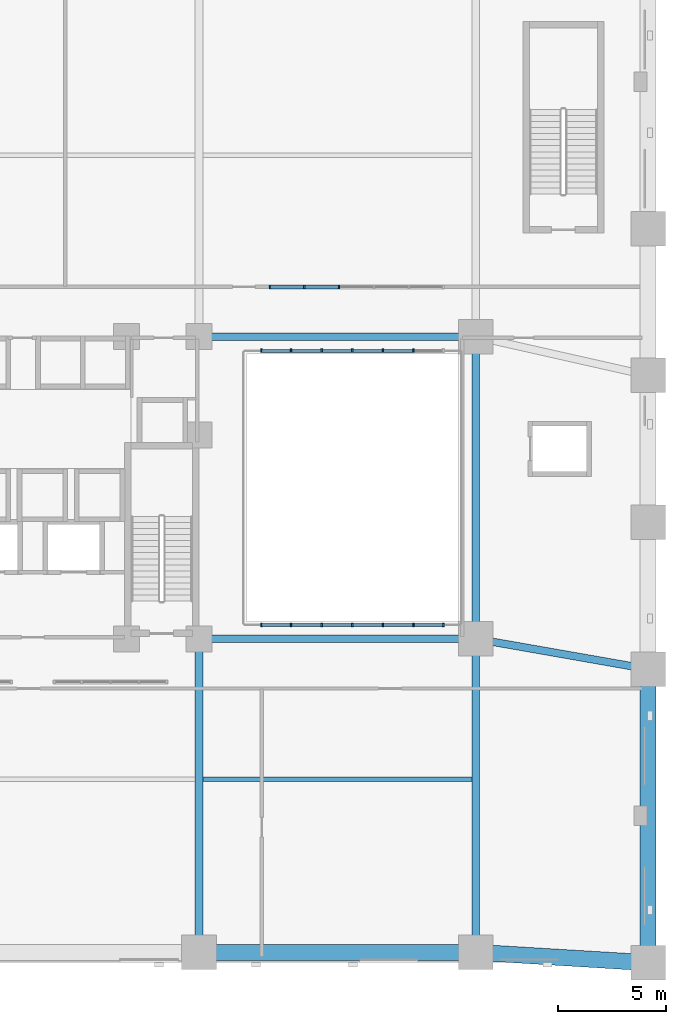
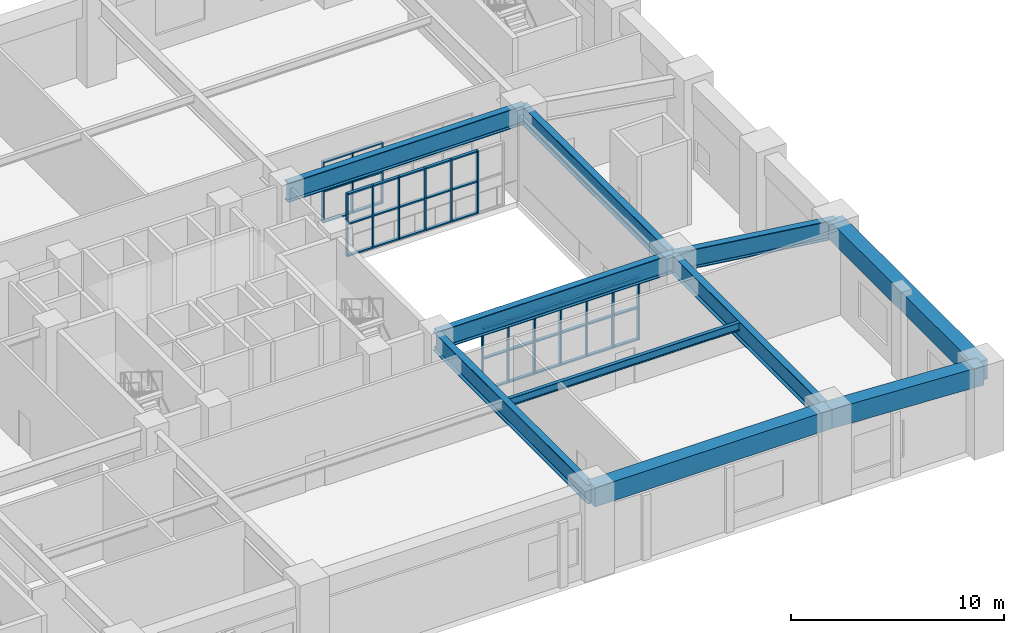
# One storey, part 4 of 14: 55 members, 10 beams, 3 elements without a shape of their own.
"""IFC4 building model written with IfcOpenShell, lengths in metres."""

from ifc_helpers import new_model, si_unit, derived_unit, direction, frame, origin, origin_2d, place, context, subcontext, project, spatial, rectangle, i_section, extrude, material, material_profile, profile_set, type_object, element, aggregate, save


model = new_model("IFC4")

# Units and contexts
model_context = context("Model", 3, precision=1e-05, world=origin(), true_north=direction((0.0, 1.0)))
body_context = subcontext(model_context, "Body", "Model", "MODEL_VIEW")
ifc_project = project(units=[si_unit("LENGTHUNIT", "METRE"), si_unit("AREAUNIT", "SQUARE_METRE"), si_unit("VOLUMEUNIT", "CUBIC_METRE"), si_unit("PLANEANGLEUNIT", "RADIAN"), si_unit("MASSUNIT", "GRAM", prefix="KILO"), derived_unit("THERMALTRANSMITTANCEUNIT", [(si_unit("MASSUNIT", "GRAM", prefix="KILO"), 1), (si_unit("TIMEUNIT", "SECOND"), -3), (si_unit("THERMODYNAMICTEMPERATUREUNIT", "KELVIN"), -1)])], contexts=[model_context])

# Site, building, storey
site_placement = place(None, origin())
site = spatial("IfcSite", under=ifc_project, at=site_placement, CompositionType="ELEMENT")
building_placement = place(site_placement, origin())
building = spatial("IfcBuilding", under=site, at=building_placement, Name="Korrvale Station Residences", CompositionType="ELEMENT")
storey_placement = place(building_placement, frame((0.0, 0.0, 6.0)))
storey = spatial("IfcBuildingStorey", under=building, at=storey_placement, Name="L01", CompositionType="ELEMENT", Elevation=6.0)

# Beams
ifc_material_1 = material(Name="Steel S355", Category="steel")
ifc_material_profile_1 = material_profile(ifc_material_1, i_section(OverallWidth=0.35009765625, OverallDepth=1.10009765625, WebThickness=0.01611328125, FlangeThickness=0.034912109375, FilletRadius=0.01806640625, at=origin_2d()), Name="WWF1100x351")
ifc_profile_set_1 = profile_set([ifc_material_profile_1], Name="Steel S355")
beam_type_1 = type_object("IfcBeamType", Name="BM-BM-WWF1100x351-S355", PredefinedType="BEAM", material=ifc_profile_set_1)
beam_1_placement = place(storey_placement, frame((46.02001953125, 0.47998046875, 4.330078125), z_axis=(0.0, 1.0, 0.0), x_axis=(-1.0, 0.0, 0.0)))
element("IfcBeam", 1, at=beam_1_placement, inside=storey, type_object=beam_type_1, Name="L01 Station Primary Girder 04", PredefinedType="BEAM", context=body_context, shape_type="SweptSolid", body=[
    extrude(i_section(OverallWidth=0.35009765625, OverallDepth=1.10009765625, WebThickness=0.01611328125, FlangeThickness=0.034912109375, FilletRadius=0.01806640625, at=origin_2d()), origin(), (0.0, 0.0, 1.0), 14.52001953125),
])
beam_2_placement = place(storey_placement, frame((46.02001953125, 15.0, 4.330078125), z_axis=(0.0, 1.0, 0.0), x_axis=(-1.0, 0.0, 0.0)))
element("IfcBeam", 2, at=beam_2_placement, inside=storey, type_object=beam_type_1, Name="L01 Station Primary Girder 05", PredefinedType="BEAM", context=body_context, shape_type="SweptSolid", body=[
    extrude(i_section(OverallWidth=0.35009765625, OverallDepth=1.10009765625, WebThickness=0.01611328125, FlangeThickness=0.034912109375, FilletRadius=0.01806640625, at=origin_2d()), origin(), (0.0, 0.0, 1.0), 14.0),
])
beam_3_placement = place(storey_placement, frame((46.02001953125, 15.0, 4.330078125), z_axis=(0.98495900412, -0.172788194628, 0.0), x_axis=(0.172788194628, 0.98495900412, 0.0)))
element("IfcBeam", 3, at=beam_3_placement, inside=storey, type_object=beam_type_1, Name="L01 Station Primary Girder 13", PredefinedType="BEAM", context=body_context, shape_type="SweptSolid", body=[
    extrude(i_section(OverallWidth=0.35009765625, OverallDepth=1.10009765625, WebThickness=0.01611328125, FlangeThickness=0.034912109375, FilletRadius=0.01806640625, at=origin_2d()), origin(), (0.0, 0.0, 1.0), 8.101806640625),
])
for number, where, z_axis, x_axis, name in (
    (4, (33.199951171875, 15.0, 4.330078125), (1.0, 0.0, 0.0), (0.0, 1.0, 0.0), "L01 Station Primary Girder 15"),
    (5, (33.199951171875, 29.0, 4.330078125), (1.0, 0.0, 0.0), (0.0, 1.0, 0.0), "L01 Station Primary Girder 16"),
):
    element("IfcBeam", number, at=place(storey_placement, frame(where, z_axis=z_axis, x_axis=x_axis)), inside=storey, type_object=beam_type_1, Name=name, PredefinedType="BEAM", context=body_context, shape_type="SweptSolid", body=[
        extrude(i_section(OverallWidth=0.35009765625, OverallDepth=1.10009765625, WebThickness=0.01611328125, FlangeThickness=0.034912109375, FilletRadius=0.01806640625, at=origin_2d()), origin(), (0.0, 0.0, 1.0), 12.820068359375),
    ])
beam_4_placement = place(storey_placement, frame((33.199951171875, 0.47998046875, 4.330078125), z_axis=(0.0, 1.0, 0.0), x_axis=(-1.0, 0.0, 0.0)))
element("IfcBeam", 6, at=beam_4_placement, inside=storey, type_object=beam_type_1, Name="L01 Station Primary Girder 18", PredefinedType="BEAM", context=body_context, shape_type="SweptSolid", body=[
    extrude(i_section(OverallWidth=0.35009765625, OverallDepth=1.10009765625, WebThickness=0.01611328125, FlangeThickness=0.034912109375, FilletRadius=0.01806640625, at=origin_2d()), origin(), (0.0, 0.0, 1.0), 14.52001953125),
])
ifc_material_profile_2 = material_profile(ifc_material_1, i_section(OverallWidth=0.18994140625, OverallDepth=0.45703125, WebThickness=0.009033203125, FlangeThickness=0.014404296875, FilletRadius=0.01611328125, at=origin_2d()), Name="W460x74")
ifc_profile_set_2 = profile_set([ifc_material_profile_2], Name="Steel S355")
beam_type_2 = type_object("IfcBeamType", Name="BM-JST-W460x74-S355", PredefinedType="JOIST", material=ifc_profile_set_2)
beam_5_placement = place(storey_placement, frame((33.375, 8.5, 4.651611328125), z_axis=(1.0, 0.0, 0.0), x_axis=(0.0, 1.0, 0.0)))
element("IfcBeam", 7, at=beam_5_placement, inside=storey, type_object=beam_type_2, Name="L01 Station Floor Joist 07", PredefinedType="JOIST", context=body_context, shape_type="SweptSolid", body=[
    extrude(i_section(OverallWidth=0.18994140625, OverallDepth=0.45703125, WebThickness=0.009033203125, FlangeThickness=0.014404296875, FilletRadius=0.01611328125, at=origin_2d()), origin(), (0.0, 0.0, 1.0), 12.469970703125),
])
ifc_material_2 = material(Name="Concrete C70/85", Category="concrete")
ifc_material_profile_3 = material_profile(ifc_material_2, rectangle(XDim=0.75, YDim=1.10009765625, at=origin_2d()), Name="RCB750x1100")
ifc_profile_set_3 = profile_set([ifc_material_profile_3], Name="Concrete C70/85")
beam_type_3 = type_object("IfcBeamType", Name="BM-SPB-RCB750x1100-C7085", PredefinedType="SPANDREL", material=ifc_profile_set_3)
beam_6_placement = place(storey_placement, frame((54.0, 0.0, 4.330078125), z_axis=(0.0, 1.0, 0.0), x_axis=(-1.0, 0.0, 0.0)))
element("IfcBeam", 8, at=beam_6_placement, inside=storey, type_object=beam_type_3, Name="L01 Station Spandrel Beam 06", PredefinedType="SPANDREL", context=body_context, shape_type="SweptSolid", body=[
    extrude(rectangle(XDim=0.75, YDim=1.10009765625, at=origin_2d()), origin(), (0.0, 0.0, 1.0), 13.60009765625),
])
beam_7_placement = place(storey_placement, frame((33.199951171875, 0.47998046875, 4.330078125), z_axis=(1.0, 0.0, 0.0), x_axis=(0.0, 1.0, 0.0)))
element("IfcBeam", 9, at=beam_7_placement, inside=storey, type_object=beam_type_3, Name="L01 Station Spandrel Beam 14", PredefinedType="SPANDREL", context=body_context, shape_type="SweptSolid", body=[
    extrude(rectangle(XDim=0.75, YDim=1.10009765625, at=origin_2d()), origin(), (0.0, 0.0, 1.0), 12.820068359375),
])
beam_8_placement = place(storey_placement, frame((46.02001953125, 0.47998046875, 4.330078125), z_axis=(0.998195997903, -0.060039568374, 0.0), x_axis=(0.060039568374, 0.998195997903, 0.0)))
element("IfcBeam", 10, at=beam_8_placement, inside=storey, type_object=beam_type_3, Name="L01 Station Spandrel Beam 15", PredefinedType="SPANDREL", context=body_context, shape_type="SweptSolid", body=[
    extrude(rectangle(XDim=0.75, YDim=1.10009765625, at=origin_2d()), origin(), (0.0, 0.0, 1.0), 7.994384765625),
])

# Curtain wall, members
ifc_material_3 = material(Name="Unitised thermally broken aluminium curtain wall with triple low-e IGU", Category="aluminium")
curtain_wall_type_1 = type_object("IfcCurtainWallType", Name="CW-ATR-POD", PredefinedType="NOTDEFINED", material=ifc_material_3)
curtain_wall_1_placement = place(storey_placement, origin())
curtain_wall_1 = element("IfcCurtainWall", 11, at=curtain_wall_1_placement, inside=storey, type_object=curtain_wall_type_1, Name="L01 Curtain Wall CW3-RUN-1", PredefinedType="NOTDEFINED")
ifc_material_4 = material(Name="Extruded thermally broken aluminium mullion", Category="aluminium")
member_type_1 = type_object("IfcMemberType", Name="CW-ATR-POD-M", PredefinedType="MULLION", material=ifc_material_4)
member_1_placement = place(storey_placement, frame((36.090087890625, 15.64990234375, 0.0), z_axis=(0.0, 0.0, 1.0), x_axis=(1.0, 0.0, 0.0)))
member_1 = element("IfcMember", 12, at=member_1_placement, type_object=member_type_1, Name="CW-ATR-POD Mullion 1", PredefinedType="MULLION", context=body_context, shape_type="SweptSolid", body=[
    extrude(rectangle(XDim=0.080078125, YDim=0.1650390625, at=origin_2d()), origin(), (0.0, 0.0, 1.0), 3.60009765625),
])
member_2_placement = place(storey_placement, frame((37.466796875, 15.64990234375, 0.0), z_axis=(0.0, 0.0, 1.0), x_axis=(1.0, 0.0, 0.0)))
member_2 = element("IfcMember", 13, at=member_2_placement, type_object=member_type_1, Name="CW-ATR-POD Mullion 2", PredefinedType="MULLION", context=body_context, shape_type="SweptSolid", body=[
    extrude(rectangle(XDim=0.080078125, YDim=0.1650390625, at=origin_2d()), origin(), (0.0, 0.0, 1.0), 3.60009765625),
])
member_3_placement = place(storey_placement, frame((38.88330078125, 15.64990234375, 0.0), z_axis=(0.0, 0.0, 1.0), x_axis=(1.0, 0.0, 0.0)))
member_3 = element("IfcMember", 14, at=member_3_placement, type_object=member_type_1, Name="CW-ATR-POD Mullion 3", PredefinedType="MULLION", context=body_context, shape_type="SweptSolid", body=[
    extrude(rectangle(XDim=0.080078125, YDim=0.1650390625, at=origin_2d()), origin(), (0.0, 0.0, 1.0), 3.60009765625),
])
member_4_placement = place(storey_placement, frame((40.300048828125, 15.64990234375, 0.0), z_axis=(0.0, 0.0, 1.0), x_axis=(1.0, 0.0, 0.0)))
member_4 = element("IfcMember", 15, at=member_4_placement, type_object=member_type_1, Name="CW-ATR-POD Mullion 4", PredefinedType="MULLION", context=body_context, shape_type="SweptSolid", body=[
    extrude(rectangle(XDim=0.080078125, YDim=0.1650390625, at=origin_2d()), origin(), (0.0, 0.0, 1.0), 3.60009765625),
])
member_5_placement = place(storey_placement, frame((41.716796875, 15.64990234375, 0.0), z_axis=(0.0, 0.0, 1.0), x_axis=(1.0, 0.0, 0.0)))
member_5 = element("IfcMember", 16, at=member_5_placement, type_object=member_type_1, Name="CW-ATR-POD Mullion 5", PredefinedType="MULLION", context=body_context, shape_type="SweptSolid", body=[
    extrude(rectangle(XDim=0.080078125, YDim=0.1650390625, at=origin_2d()), origin(), (0.0, 0.0, 1.0), 3.60009765625),
])
member_6_placement = place(storey_placement, frame((43.13330078125, 15.64990234375, 0.0), z_axis=(0.0, 0.0, 1.0), x_axis=(1.0, 0.0, 0.0)))
member_6 = element("IfcMember", 17, at=member_6_placement, type_object=member_type_1, Name="CW-ATR-POD Mullion 6", PredefinedType="MULLION", context=body_context, shape_type="SweptSolid", body=[
    extrude(rectangle(XDim=0.080078125, YDim=0.1650390625, at=origin_2d()), origin(), (0.0, 0.0, 1.0), 3.60009765625),
])
member_7_placement = place(storey_placement, frame((44.510009765625, 15.64990234375, 0.0), z_axis=(0.0, 0.0, 1.0), x_axis=(1.0, 0.0, 0.0)))
member_7 = element("IfcMember", 18, at=member_7_placement, type_object=member_type_1, Name="CW-ATR-POD Mullion 7", PredefinedType="MULLION", context=body_context, shape_type="SweptSolid", body=[
    extrude(rectangle(XDim=0.080078125, YDim=0.1650390625, at=origin_2d()), origin(), (0.0, 0.0, 1.0), 3.60009765625),
])

curtain_wall_2_placement = place(storey_placement, origin())
curtain_wall_2 = element("IfcCurtainWall", 19, at=curtain_wall_2_placement, inside=storey, type_object=curtain_wall_type_1, Name="L01 Curtain Wall CW3-RUN-2", PredefinedType="NOTDEFINED")
member_8_placement = place(storey_placement, frame((36.090087890625, 28.35009765625, 0.0), z_axis=(0.0, 0.0, 1.0), x_axis=(1.0, 0.0, 0.0)))
member_8 = element("IfcMember", 20, at=member_8_placement, type_object=member_type_1, Name="CW-ATR-POD Mullion 1", PredefinedType="MULLION", context=body_context, shape_type="SweptSolid", body=[
    extrude(rectangle(XDim=0.080078125, YDim=0.1650390625, at=origin_2d()), origin(), (0.0, 0.0, 1.0), 3.60009765625),
])
member_9_placement = place(storey_placement, frame((37.466796875, 28.35009765625, 0.0), z_axis=(0.0, 0.0, 1.0), x_axis=(1.0, 0.0, 0.0)))
member_9 = element("IfcMember", 21, at=member_9_placement, type_object=member_type_1, Name="CW-ATR-POD Mullion 2", PredefinedType="MULLION", context=body_context, shape_type="SweptSolid", body=[
    extrude(rectangle(XDim=0.080078125, YDim=0.1650390625, at=origin_2d()), origin(), (0.0, 0.0, 1.0), 3.60009765625),
])
member_10_placement = place(storey_placement, frame((38.88330078125, 28.35009765625, 0.0), z_axis=(0.0, 0.0, 1.0), x_axis=(1.0, 0.0, 0.0)))
member_10 = element("IfcMember", 22, at=member_10_placement, type_object=member_type_1, Name="CW-ATR-POD Mullion 3", PredefinedType="MULLION", context=body_context, shape_type="SweptSolid", body=[
    extrude(rectangle(XDim=0.080078125, YDim=0.1650390625, at=origin_2d()), origin(), (0.0, 0.0, 1.0), 3.60009765625),
])
member_11_placement = place(storey_placement, frame((40.300048828125, 28.35009765625, 0.0), z_axis=(0.0, 0.0, 1.0), x_axis=(1.0, 0.0, 0.0)))
member_11 = element("IfcMember", 23, at=member_11_placement, type_object=member_type_1, Name="CW-ATR-POD Mullion 4", PredefinedType="MULLION", context=body_context, shape_type="SweptSolid", body=[
    extrude(rectangle(XDim=0.080078125, YDim=0.1650390625, at=origin_2d()), origin(), (0.0, 0.0, 1.0), 3.60009765625),
])
member_12_placement = place(storey_placement, frame((41.716796875, 28.35009765625, 0.0), z_axis=(0.0, 0.0, 1.0), x_axis=(1.0, 0.0, 0.0)))
member_12 = element("IfcMember", 24, at=member_12_placement, type_object=member_type_1, Name="CW-ATR-POD Mullion 5", PredefinedType="MULLION", context=body_context, shape_type="SweptSolid", body=[
    extrude(rectangle(XDim=0.080078125, YDim=0.1650390625, at=origin_2d()), origin(), (0.0, 0.0, 1.0), 3.60009765625),
])
member_13_placement = place(storey_placement, frame((43.13330078125, 28.35009765625, 0.0), z_axis=(0.0, 0.0, 1.0), x_axis=(1.0, 0.0, 0.0)))
member_13 = element("IfcMember", 25, at=member_13_placement, type_object=member_type_1, Name="CW-ATR-POD Mullion 6", PredefinedType="MULLION", context=body_context, shape_type="SweptSolid", body=[
    extrude(rectangle(XDim=0.080078125, YDim=0.1650390625, at=origin_2d()), origin(), (0.0, 0.0, 1.0), 3.60009765625),
])

# Member
ifc_material_5 = material(Name="Extruded thermally broken aluminium transom", Category="aluminium")
member_type_2 = type_object("IfcMemberType", Name="CW-ATR-POD-T", PredefinedType="USERDEFINED", material=ifc_material_5)
member_14_placement = place(storey_placement, frame((36.75830078125, 15.64990234375, 0.0), z_axis=(0.0, 0.0, 1.0), x_axis=(1.0, 0.0, 0.0)))
member_14 = element("IfcMember", 26, at=member_14_placement, type_object=member_type_2, Name="CW-ATR-POD Transom 1-1", ObjectType="TRANSOM", PredefinedType="USERDEFINED", context=body_context, shape_type="SweptSolid", body=[
    extrude(rectangle(XDim=1.336669921875, YDim=0.1650390625, at=origin_2d()), origin(), (0.0, 0.0, 1.0), 0.080078125),
])

member_15_placement = place(storey_placement, frame((36.75830078125, 15.64990234375, 1.81005859375), z_axis=(0.0, 0.0, 1.0), x_axis=(1.0, 0.0, 0.0)))
member_15 = element("IfcMember", 27, at=member_15_placement, type_object=member_type_2, Name="CW-ATR-POD Transom 1-2", ObjectType="TRANSOM", PredefinedType="USERDEFINED", context=body_context, shape_type="SweptSolid", body=[
    extrude(rectangle(XDim=1.336669921875, YDim=0.1650390625, at=origin_2d()), origin(), (0.0, 0.0, 1.0), 0.080078125),
])

member_16_placement = place(storey_placement, frame((36.75830078125, 15.64990234375, 3.52001953125), z_axis=(0.0, 0.0, 1.0), x_axis=(1.0, 0.0, 0.0)))
member_16 = element("IfcMember", 28, at=member_16_placement, type_object=member_type_2, Name="CW-ATR-POD Transom 1-3", ObjectType="TRANSOM", PredefinedType="USERDEFINED", context=body_context, shape_type="SweptSolid", body=[
    extrude(rectangle(XDim=1.336669921875, YDim=0.1650390625, at=origin_2d()), origin(), (0.0, 0.0, 1.0), 0.080078125),
])

member_17_placement = place(storey_placement, frame((38.175048828125, 15.64990234375, 0.0), z_axis=(0.0, 0.0, 1.0), x_axis=(1.0, 0.0, 0.0)))
member_17 = element("IfcMember", 29, at=member_17_placement, type_object=member_type_2, Name="CW-ATR-POD Transom 2-1", ObjectType="TRANSOM", PredefinedType="USERDEFINED", context=body_context, shape_type="SweptSolid", body=[
    extrude(rectangle(XDim=1.336669921875, YDim=0.1650390625, at=origin_2d()), origin(), (0.0, 0.0, 1.0), 0.080078125),
])

member_18_placement = place(storey_placement, frame((38.175048828125, 15.64990234375, 1.81005859375), z_axis=(0.0, 0.0, 1.0), x_axis=(1.0, 0.0, 0.0)))
member_18 = element("IfcMember", 30, at=member_18_placement, type_object=member_type_2, Name="CW-ATR-POD Transom 2-2", ObjectType="TRANSOM", PredefinedType="USERDEFINED", context=body_context, shape_type="SweptSolid", body=[
    extrude(rectangle(XDim=1.336669921875, YDim=0.1650390625, at=origin_2d()), origin(), (0.0, 0.0, 1.0), 0.080078125),
])

member_19_placement = place(storey_placement, frame((38.175048828125, 15.64990234375, 3.52001953125), z_axis=(0.0, 0.0, 1.0), x_axis=(1.0, 0.0, 0.0)))
member_19 = element("IfcMember", 31, at=member_19_placement, type_object=member_type_2, Name="CW-ATR-POD Transom 2-3", ObjectType="TRANSOM", PredefinedType="USERDEFINED", context=body_context, shape_type="SweptSolid", body=[
    extrude(rectangle(XDim=1.336669921875, YDim=0.1650390625, at=origin_2d()), origin(), (0.0, 0.0, 1.0), 0.080078125),
])

member_20_placement = place(storey_placement, frame((39.591796875, 15.64990234375, 0.0), z_axis=(0.0, 0.0, 1.0), x_axis=(1.0, 0.0, 0.0)))
member_20 = element("IfcMember", 32, at=member_20_placement, type_object=member_type_2, Name="CW-ATR-POD Transom 3-1", ObjectType="TRANSOM", PredefinedType="USERDEFINED", context=body_context, shape_type="SweptSolid", body=[
    extrude(rectangle(XDim=1.336669921875, YDim=0.1650390625, at=origin_2d()), origin(), (0.0, 0.0, 1.0), 0.080078125),
])

member_21_placement = place(storey_placement, frame((39.591796875, 15.64990234375, 1.81005859375), z_axis=(0.0, 0.0, 1.0), x_axis=(1.0, 0.0, 0.0)))
member_21 = element("IfcMember", 33, at=member_21_placement, type_object=member_type_2, Name="CW-ATR-POD Transom 3-2", ObjectType="TRANSOM", PredefinedType="USERDEFINED", context=body_context, shape_type="SweptSolid", body=[
    extrude(rectangle(XDim=1.336669921875, YDim=0.1650390625, at=origin_2d()), origin(), (0.0, 0.0, 1.0), 0.080078125),
])

member_22_placement = place(storey_placement, frame((39.591796875, 15.64990234375, 3.52001953125), z_axis=(0.0, 0.0, 1.0), x_axis=(1.0, 0.0, 0.0)))
member_22 = element("IfcMember", 34, at=member_22_placement, type_object=member_type_2, Name="CW-ATR-POD Transom 3-3", ObjectType="TRANSOM", PredefinedType="USERDEFINED", context=body_context, shape_type="SweptSolid", body=[
    extrude(rectangle(XDim=1.336669921875, YDim=0.1650390625, at=origin_2d()), origin(), (0.0, 0.0, 1.0), 0.080078125),
])

member_23_placement = place(storey_placement, frame((41.00830078125, 15.64990234375, 0.0), z_axis=(0.0, 0.0, 1.0), x_axis=(1.0, 0.0, 0.0)))
member_23 = element("IfcMember", 35, at=member_23_placement, type_object=member_type_2, Name="CW-ATR-POD Transom 4-1", ObjectType="TRANSOM", PredefinedType="USERDEFINED", context=body_context, shape_type="SweptSolid", body=[
    extrude(rectangle(XDim=1.336669921875, YDim=0.1650390625, at=origin_2d()), origin(), (0.0, 0.0, 1.0), 0.080078125),
])

member_24_placement = place(storey_placement, frame((41.00830078125, 15.64990234375, 1.81005859375), z_axis=(0.0, 0.0, 1.0), x_axis=(1.0, 0.0, 0.0)))
member_24 = element("IfcMember", 36, at=member_24_placement, type_object=member_type_2, Name="CW-ATR-POD Transom 4-2", ObjectType="TRANSOM", PredefinedType="USERDEFINED", context=body_context, shape_type="SweptSolid", body=[
    extrude(rectangle(XDim=1.336669921875, YDim=0.1650390625, at=origin_2d()), origin(), (0.0, 0.0, 1.0), 0.080078125),
])

member_25_placement = place(storey_placement, frame((41.00830078125, 15.64990234375, 3.52001953125), z_axis=(0.0, 0.0, 1.0), x_axis=(1.0, 0.0, 0.0)))
member_25 = element("IfcMember", 37, at=member_25_placement, type_object=member_type_2, Name="CW-ATR-POD Transom 4-3", ObjectType="TRANSOM", PredefinedType="USERDEFINED", context=body_context, shape_type="SweptSolid", body=[
    extrude(rectangle(XDim=1.336669921875, YDim=0.1650390625, at=origin_2d()), origin(), (0.0, 0.0, 1.0), 0.080078125),
])

member_26_placement = place(storey_placement, frame((42.425048828125, 15.64990234375, 0.0), z_axis=(0.0, 0.0, 1.0), x_axis=(1.0, 0.0, 0.0)))
member_26 = element("IfcMember", 38, at=member_26_placement, type_object=member_type_2, Name="CW-ATR-POD Transom 5-1", ObjectType="TRANSOM", PredefinedType="USERDEFINED", context=body_context, shape_type="SweptSolid", body=[
    extrude(rectangle(XDim=1.336669921875, YDim=0.1650390625, at=origin_2d()), origin(), (0.0, 0.0, 1.0), 0.080078125),
])

member_27_placement = place(storey_placement, frame((42.425048828125, 15.64990234375, 1.81005859375), z_axis=(0.0, 0.0, 1.0), x_axis=(1.0, 0.0, 0.0)))
member_27 = element("IfcMember", 39, at=member_27_placement, type_object=member_type_2, Name="CW-ATR-POD Transom 5-2", ObjectType="TRANSOM", PredefinedType="USERDEFINED", context=body_context, shape_type="SweptSolid", body=[
    extrude(rectangle(XDim=1.336669921875, YDim=0.1650390625, at=origin_2d()), origin(), (0.0, 0.0, 1.0), 0.080078125),
])

member_28_placement = place(storey_placement, frame((42.425048828125, 15.64990234375, 3.52001953125), z_axis=(0.0, 0.0, 1.0), x_axis=(1.0, 0.0, 0.0)))
member_28 = element("IfcMember", 40, at=member_28_placement, type_object=member_type_2, Name="CW-ATR-POD Transom 5-3", ObjectType="TRANSOM", PredefinedType="USERDEFINED", context=body_context, shape_type="SweptSolid", body=[
    extrude(rectangle(XDim=1.336669921875, YDim=0.1650390625, at=origin_2d()), origin(), (0.0, 0.0, 1.0), 0.080078125),
])

member_29_placement = place(storey_placement, frame((43.841796875, 15.64990234375, 0.0), z_axis=(0.0, 0.0, 1.0), x_axis=(1.0, 0.0, 0.0)))
member_29 = element("IfcMember", 41, at=member_29_placement, type_object=member_type_2, Name="CW-ATR-POD Transom 6-1", ObjectType="TRANSOM", PredefinedType="USERDEFINED", context=body_context, shape_type="SweptSolid", body=[
    extrude(rectangle(XDim=1.336669921875, YDim=0.1650390625, at=origin_2d()), origin(), (0.0, 0.0, 1.0), 0.080078125),
])

member_30_placement = place(storey_placement, frame((43.841796875, 15.64990234375, 1.81005859375), z_axis=(0.0, 0.0, 1.0), x_axis=(1.0, 0.0, 0.0)))
member_30 = element("IfcMember", 42, at=member_30_placement, type_object=member_type_2, Name="CW-ATR-POD Transom 6-2", ObjectType="TRANSOM", PredefinedType="USERDEFINED", context=body_context, shape_type="SweptSolid", body=[
    extrude(rectangle(XDim=1.336669921875, YDim=0.1650390625, at=origin_2d()), origin(), (0.0, 0.0, 1.0), 0.080078125),
])

member_31_placement = place(storey_placement, frame((43.841796875, 15.64990234375, 3.52001953125), z_axis=(0.0, 0.0, 1.0), x_axis=(1.0, 0.0, 0.0)))
member_31 = element("IfcMember", 43, at=member_31_placement, type_object=member_type_2, Name="CW-ATR-POD Transom 6-3", ObjectType="TRANSOM", PredefinedType="USERDEFINED", context=body_context, shape_type="SweptSolid", body=[
    extrude(rectangle(XDim=1.336669921875, YDim=0.1650390625, at=origin_2d()), origin(), (0.0, 0.0, 1.0), 0.080078125),
])

aggregate(curtain_wall_1, [member_1, member_2, member_3, member_4, member_5, member_6, member_7, member_14, member_15, member_16, member_17, member_18, member_19, member_20, member_21, member_22, member_23, member_24, member_25, member_26, member_27, member_28, member_29, member_30, member_31])

member_32_placement = place(storey_placement, frame((36.75830078125, 28.35009765625, 0.0), z_axis=(0.0, 0.0, 1.0), x_axis=(1.0, 0.0, 0.0)))
member_32 = element("IfcMember", 44, at=member_32_placement, type_object=member_type_2, Name="CW-ATR-POD Transom 1-1", ObjectType="TRANSOM", PredefinedType="USERDEFINED", context=body_context, shape_type="SweptSolid", body=[
    extrude(rectangle(XDim=1.336669921875, YDim=0.1650390625, at=origin_2d()), origin(), (0.0, 0.0, 1.0), 0.080078125),
])

member_33_placement = place(storey_placement, frame((36.75830078125, 28.35009765625, 1.81005859375), z_axis=(0.0, 0.0, 1.0), x_axis=(1.0, 0.0, 0.0)))
member_33 = element("IfcMember", 45, at=member_33_placement, type_object=member_type_2, Name="CW-ATR-POD Transom 1-2", ObjectType="TRANSOM", PredefinedType="USERDEFINED", context=body_context, shape_type="SweptSolid", body=[
    extrude(rectangle(XDim=1.336669921875, YDim=0.1650390625, at=origin_2d()), origin(), (0.0, 0.0, 1.0), 0.080078125),
])

member_34_placement = place(storey_placement, frame((36.75830078125, 28.35009765625, 3.52001953125), z_axis=(0.0, 0.0, 1.0), x_axis=(1.0, 0.0, 0.0)))
member_34 = element("IfcMember", 46, at=member_34_placement, type_object=member_type_2, Name="CW-ATR-POD Transom 1-3", ObjectType="TRANSOM", PredefinedType="USERDEFINED", context=body_context, shape_type="SweptSolid", body=[
    extrude(rectangle(XDim=1.336669921875, YDim=0.1650390625, at=origin_2d()), origin(), (0.0, 0.0, 1.0), 0.080078125),
])

member_35_placement = place(storey_placement, frame((38.175048828125, 28.35009765625, 0.0), z_axis=(0.0, 0.0, 1.0), x_axis=(1.0, 0.0, 0.0)))
member_35 = element("IfcMember", 47, at=member_35_placement, type_object=member_type_2, Name="CW-ATR-POD Transom 2-1", ObjectType="TRANSOM", PredefinedType="USERDEFINED", context=body_context, shape_type="SweptSolid", body=[
    extrude(rectangle(XDim=1.336669921875, YDim=0.1650390625, at=origin_2d()), origin(), (0.0, 0.0, 1.0), 0.080078125),
])

member_36_placement = place(storey_placement, frame((38.175048828125, 28.35009765625, 1.81005859375), z_axis=(0.0, 0.0, 1.0), x_axis=(1.0, 0.0, 0.0)))
member_36 = element("IfcMember", 48, at=member_36_placement, type_object=member_type_2, Name="CW-ATR-POD Transom 2-2", ObjectType="TRANSOM", PredefinedType="USERDEFINED", context=body_context, shape_type="SweptSolid", body=[
    extrude(rectangle(XDim=1.336669921875, YDim=0.1650390625, at=origin_2d()), origin(), (0.0, 0.0, 1.0), 0.080078125),
])

member_37_placement = place(storey_placement, frame((38.175048828125, 28.35009765625, 3.52001953125), z_axis=(0.0, 0.0, 1.0), x_axis=(1.0, 0.0, 0.0)))
member_37 = element("IfcMember", 49, at=member_37_placement, type_object=member_type_2, Name="CW-ATR-POD Transom 2-3", ObjectType="TRANSOM", PredefinedType="USERDEFINED", context=body_context, shape_type="SweptSolid", body=[
    extrude(rectangle(XDim=1.336669921875, YDim=0.1650390625, at=origin_2d()), origin(), (0.0, 0.0, 1.0), 0.080078125),
])

member_38_placement = place(storey_placement, frame((39.591796875, 28.35009765625, 0.0), z_axis=(0.0, 0.0, 1.0), x_axis=(1.0, 0.0, 0.0)))
member_38 = element("IfcMember", 50, at=member_38_placement, type_object=member_type_2, Name="CW-ATR-POD Transom 3-1", ObjectType="TRANSOM", PredefinedType="USERDEFINED", context=body_context, shape_type="SweptSolid", body=[
    extrude(rectangle(XDim=1.336669921875, YDim=0.1650390625, at=origin_2d()), origin(), (0.0, 0.0, 1.0), 0.080078125),
])

member_39_placement = place(storey_placement, frame((39.591796875, 28.35009765625, 1.81005859375), z_axis=(0.0, 0.0, 1.0), x_axis=(1.0, 0.0, 0.0)))
member_39 = element("IfcMember", 51, at=member_39_placement, type_object=member_type_2, Name="CW-ATR-POD Transom 3-2", ObjectType="TRANSOM", PredefinedType="USERDEFINED", context=body_context, shape_type="SweptSolid", body=[
    extrude(rectangle(XDim=1.336669921875, YDim=0.1650390625, at=origin_2d()), origin(), (0.0, 0.0, 1.0), 0.080078125),
])

member_40_placement = place(storey_placement, frame((39.591796875, 28.35009765625, 3.52001953125), z_axis=(0.0, 0.0, 1.0), x_axis=(1.0, 0.0, 0.0)))
member_40 = element("IfcMember", 52, at=member_40_placement, type_object=member_type_2, Name="CW-ATR-POD Transom 3-3", ObjectType="TRANSOM", PredefinedType="USERDEFINED", context=body_context, shape_type="SweptSolid", body=[
    extrude(rectangle(XDim=1.336669921875, YDim=0.1650390625, at=origin_2d()), origin(), (0.0, 0.0, 1.0), 0.080078125),
])

member_41_placement = place(storey_placement, frame((41.00830078125, 28.35009765625, 0.0), z_axis=(0.0, 0.0, 1.0), x_axis=(1.0, 0.0, 0.0)))
member_41 = element("IfcMember", 53, at=member_41_placement, type_object=member_type_2, Name="CW-ATR-POD Transom 4-1", ObjectType="TRANSOM", PredefinedType="USERDEFINED", context=body_context, shape_type="SweptSolid", body=[
    extrude(rectangle(XDim=1.336669921875, YDim=0.1650390625, at=origin_2d()), origin(), (0.0, 0.0, 1.0), 0.080078125),
])

member_42_placement = place(storey_placement, frame((41.00830078125, 28.35009765625, 1.81005859375), z_axis=(0.0, 0.0, 1.0), x_axis=(1.0, 0.0, 0.0)))
member_42 = element("IfcMember", 54, at=member_42_placement, type_object=member_type_2, Name="CW-ATR-POD Transom 4-2", ObjectType="TRANSOM", PredefinedType="USERDEFINED", context=body_context, shape_type="SweptSolid", body=[
    extrude(rectangle(XDim=1.336669921875, YDim=0.1650390625, at=origin_2d()), origin(), (0.0, 0.0, 1.0), 0.080078125),
])

member_43_placement = place(storey_placement, frame((41.00830078125, 28.35009765625, 3.52001953125), z_axis=(0.0, 0.0, 1.0), x_axis=(1.0, 0.0, 0.0)))
member_43 = element("IfcMember", 55, at=member_43_placement, type_object=member_type_2, Name="CW-ATR-POD Transom 4-3", ObjectType="TRANSOM", PredefinedType="USERDEFINED", context=body_context, shape_type="SweptSolid", body=[
    extrude(rectangle(XDim=1.336669921875, YDim=0.1650390625, at=origin_2d()), origin(), (0.0, 0.0, 1.0), 0.080078125),
])

member_44_placement = place(storey_placement, frame((42.425048828125, 28.35009765625, 0.0), z_axis=(0.0, 0.0, 1.0), x_axis=(1.0, 0.0, 0.0)))
member_44 = element("IfcMember", 56, at=member_44_placement, type_object=member_type_2, Name="CW-ATR-POD Transom 5-1", ObjectType="TRANSOM", PredefinedType="USERDEFINED", context=body_context, shape_type="SweptSolid", body=[
    extrude(rectangle(XDim=1.336669921875, YDim=0.1650390625, at=origin_2d()), origin(), (0.0, 0.0, 1.0), 0.080078125),
])

member_45_placement = place(storey_placement, frame((42.425048828125, 28.35009765625, 1.81005859375), z_axis=(0.0, 0.0, 1.0), x_axis=(1.0, 0.0, 0.0)))
member_45 = element("IfcMember", 57, at=member_45_placement, type_object=member_type_2, Name="CW-ATR-POD Transom 5-2", ObjectType="TRANSOM", PredefinedType="USERDEFINED", context=body_context, shape_type="SweptSolid", body=[
    extrude(rectangle(XDim=1.336669921875, YDim=0.1650390625, at=origin_2d()), origin(), (0.0, 0.0, 1.0), 0.080078125),
])

member_46_placement = place(storey_placement, frame((42.425048828125, 28.35009765625, 3.52001953125), z_axis=(0.0, 0.0, 1.0), x_axis=(1.0, 0.0, 0.0)))
member_46 = element("IfcMember", 58, at=member_46_placement, type_object=member_type_2, Name="CW-ATR-POD Transom 5-3", ObjectType="TRANSOM", PredefinedType="USERDEFINED", context=body_context, shape_type="SweptSolid", body=[
    extrude(rectangle(XDim=1.336669921875, YDim=0.1650390625, at=origin_2d()), origin(), (0.0, 0.0, 1.0), 0.080078125),
])

aggregate(curtain_wall_2, [member_8, member_9, member_10, member_11, member_12, member_13, member_32, member_33, member_34, member_35, member_36, member_37, member_38, member_39, member_40, member_41, member_42, member_43, member_44, member_45, member_46])

# Curtain wall, members
curtain_wall_type_2 = type_object("IfcCurtainWallType", Name="CW-STN-CON", PredefinedType="NOTDEFINED", material=ifc_material_3)
curtain_wall_3_placement = place(storey_placement, origin())
curtain_wall_3 = element("IfcCurtainWall", 59, at=curtain_wall_3_placement, inside=storey, type_object=curtain_wall_type_2, Name="L01 Curtain Wall CW2-RUN-4", PredefinedType="NOTDEFINED")
member_type_3 = type_object("IfcMemberType", Name="CW-STN-CON-M", PredefinedType="MULLION", material=ifc_material_4)
member_47_placement = place(storey_placement, frame((36.489990234375, 31.300048828125, 0.0), z_axis=(0.0, 0.0, 1.0), x_axis=(1.0, 0.0, 0.0)))
member_47 = element("IfcMember", 60, at=member_47_placement, type_object=member_type_3, Name="CW-STN-CON Mullion 1", PredefinedType="MULLION", context=body_context, shape_type="SweptSolid", body=[
    extrude(rectangle(XDim=0.080078125, YDim=0.169921875, at=origin_2d()), origin(), (0.0, 0.0, 1.0), 3.5),
])
member_48_placement = place(storey_placement, frame((38.070068359375, 31.300048828125, 0.0), z_axis=(0.0, 0.0, 1.0), x_axis=(1.0, 0.0, 0.0)))
member_48 = element("IfcMember", 61, at=member_48_placement, type_object=member_type_3, Name="CW-STN-CON Mullion 2", PredefinedType="MULLION", context=body_context, shape_type="SweptSolid", body=[
    extrude(rectangle(XDim=0.080078125, YDim=0.169921875, at=origin_2d()), origin(), (0.0, 0.0, 1.0), 3.5),
])
member_49_placement = place(storey_placement, frame((39.68994140625, 31.300048828125, 0.0), z_axis=(0.0, 0.0, 1.0), x_axis=(1.0, 0.0, 0.0)))
member_49 = element("IfcMember", 62, at=member_49_placement, type_object=member_type_3, Name="CW-STN-CON Mullion 3", PredefinedType="MULLION", context=body_context, shape_type="SweptSolid", body=[
    extrude(rectangle(XDim=0.080078125, YDim=0.169921875, at=origin_2d()), origin(), (0.0, 0.0, 1.0), 3.5),
])
member_type_4 = type_object("IfcMemberType", Name="CW-STN-CON-T", PredefinedType="USERDEFINED", material=ifc_material_5)
member_50_placement = place(storey_placement, frame((37.260009765625, 31.300048828125, 0.0), z_axis=(0.0, 0.0, 1.0), x_axis=(1.0, 0.0, 0.0)))
member_50 = element("IfcMember", 63, at=member_50_placement, type_object=member_type_4, Name="CW-STN-CON Transom 1-1", ObjectType="TRANSOM", PredefinedType="USERDEFINED", context=body_context, shape_type="SweptSolid", body=[
    extrude(rectangle(XDim=1.5400390625, YDim=0.169921875, at=origin_2d()), origin(), (0.0, 0.0, 1.0), 0.080078125),
])
member_51_placement = place(storey_placement, frame((37.260009765625, 31.300048828125, 1.760009765625), z_axis=(0.0, 0.0, 1.0), x_axis=(1.0, 0.0, 0.0)))
member_51 = element("IfcMember", 64, at=member_51_placement, type_object=member_type_4, Name="CW-STN-CON Transom 1-2", ObjectType="TRANSOM", PredefinedType="USERDEFINED", context=body_context, shape_type="SweptSolid", body=[
    extrude(rectangle(XDim=1.5400390625, YDim=0.169921875, at=origin_2d()), origin(), (0.0, 0.0, 1.0), 0.080078125),
])
member_52_placement = place(storey_placement, frame((37.260009765625, 31.300048828125, 3.419921875), z_axis=(0.0, 0.0, 1.0), x_axis=(1.0, 0.0, 0.0)))
member_52 = element("IfcMember", 65, at=member_52_placement, type_object=member_type_4, Name="CW-STN-CON Transom 1-3", ObjectType="TRANSOM", PredefinedType="USERDEFINED", context=body_context, shape_type="SweptSolid", body=[
    extrude(rectangle(XDim=1.5400390625, YDim=0.169921875, at=origin_2d()), origin(), (0.0, 0.0, 1.0), 0.080078125),
])
member_53_placement = place(storey_placement, frame((38.8798828125, 31.300048828125, 0.0), z_axis=(0.0, 0.0, 1.0), x_axis=(1.0, 0.0, 0.0)))
member_53 = element("IfcMember", 66, at=member_53_placement, type_object=member_type_4, Name="CW-STN-CON Transom 2-1", ObjectType="TRANSOM", PredefinedType="USERDEFINED", context=body_context, shape_type="SweptSolid", body=[
    extrude(rectangle(XDim=1.5400390625, YDim=0.169921875, at=origin_2d()), origin(), (0.0, 0.0, 1.0), 0.080078125),
])
member_54_placement = place(storey_placement, frame((38.8798828125, 31.300048828125, 1.760009765625), z_axis=(0.0, 0.0, 1.0), x_axis=(1.0, 0.0, 0.0)))
member_54 = element("IfcMember", 67, at=member_54_placement, type_object=member_type_4, Name="CW-STN-CON Transom 2-2", ObjectType="TRANSOM", PredefinedType="USERDEFINED", context=body_context, shape_type="SweptSolid", body=[
    extrude(rectangle(XDim=1.5400390625, YDim=0.169921875, at=origin_2d()), origin(), (0.0, 0.0, 1.0), 0.080078125),
])
member_55_placement = place(storey_placement, frame((38.8798828125, 31.300048828125, 3.419921875), z_axis=(0.0, 0.0, 1.0), x_axis=(1.0, 0.0, 0.0)))
member_55 = element("IfcMember", 68, at=member_55_placement, type_object=member_type_4, Name="CW-STN-CON Transom 2-3", ObjectType="TRANSOM", PredefinedType="USERDEFINED", context=body_context, shape_type="SweptSolid", body=[
    extrude(rectangle(XDim=1.5400390625, YDim=0.169921875, at=origin_2d()), origin(), (0.0, 0.0, 1.0), 0.080078125),
])
aggregate(curtain_wall_3, [member_47, member_48, member_49, member_50, member_51, member_52, member_53, member_54, member_55])

save(model, "model.ifc")
